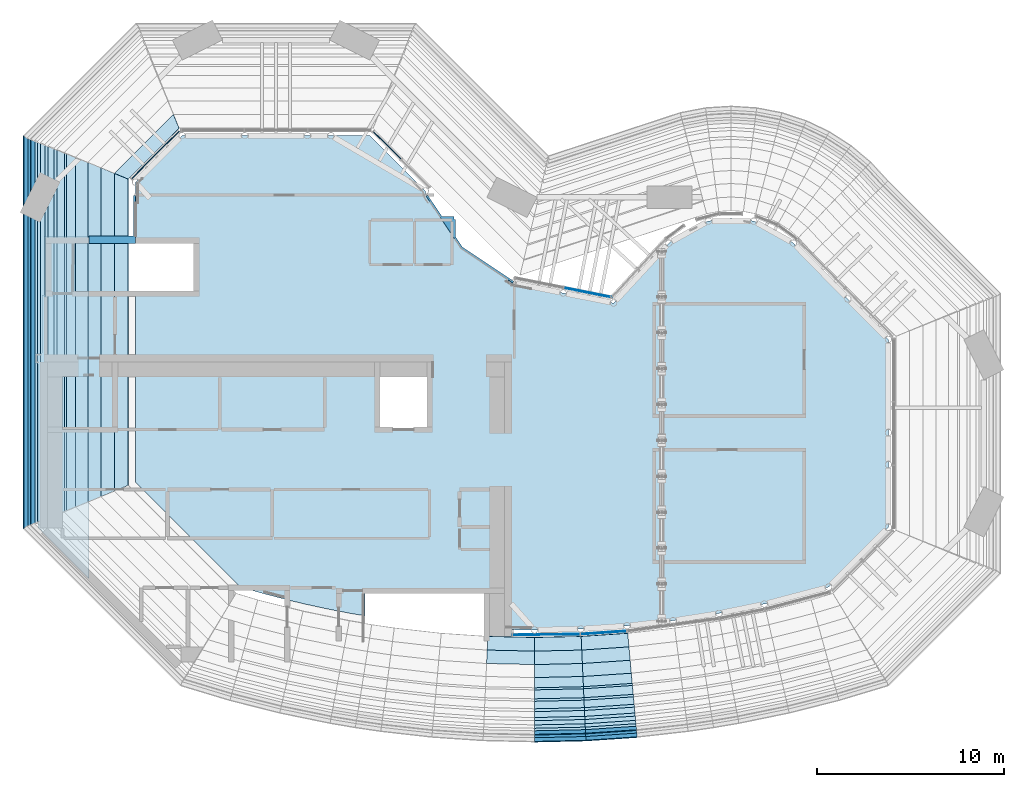
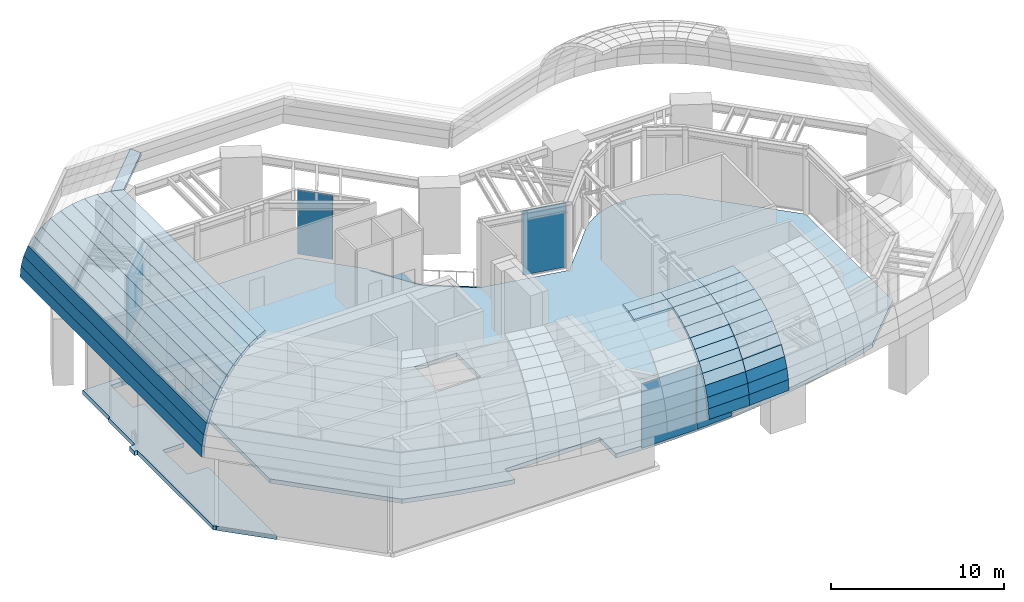
# One storey, part 10 of 20: 44 plates, 4 slabs, 5 elements without a shape of their own.
"""IFC4 building model written with IfcOpenShell, lengths in metres."""

from ifc_helpers import new_model, si_unit, direction, frame, origin, origin_2d, place, context, subcontext, project, spatial, polyline, rectangle, outline, extrude, material, layer, layer_set, type_object, element, aggregate, save


model = new_model("IFC4")

# Units and contexts
model_context = context("Model", 3, precision=1e-05, world=origin(), true_north=direction((0.0, 1.0)))
body_context = subcontext(model_context, "Body", "Model", "MODEL_VIEW")
ifc_project = project(units=[si_unit("LENGTHUNIT", "METRE"), si_unit("AREAUNIT", "SQUARE_METRE"), si_unit("VOLUMEUNIT", "CUBIC_METRE"), si_unit("PLANEANGLEUNIT", "RADIAN"), si_unit("MASSUNIT", "GRAM", prefix="KILO")], contexts=[model_context])

# Site, building, storey
site_placement = place(None, origin())
site = spatial("IfcSite", under=ifc_project, at=site_placement, CompositionType="ELEMENT")
building_placement = place(site_placement, origin())
building = spatial("IfcBuilding", under=site, at=building_placement, Name="Brevane Broadcast Tower", CompositionType="ELEMENT")
storey_placement = place(building_placement, frame((0.0, 0.0, 264.199951171875)))
storey = spatial("IfcBuildingStorey", under=building, at=storey_placement, Name="L66", CompositionType="ELEMENT", Elevation=264.199951171875)

# Curtain wall, plate
ifc_material_1 = material(Name="Aluminium 6063-T6 bronze anodised", Category="aluminium")
curtain_wall_type = type_object("IfcCurtainWallType", Name="CW-5 curtain wall", PredefinedType="NOTDEFINED", material=ifc_material_1)
curtain_wall_1_placement = place(storey_placement, origin())
curtain_wall_1 = element("IfcCurtainWall", 1, at=curtain_wall_1_placement, inside=storey, type_object=curtain_wall_type, Name="CW-5 gallery glazing 1", PredefinedType="NOTDEFINED")
ifc_material_2 = material(Name="Laminated glass bronze-tinted", Category="glass")
ifc_layer_1 = layer(ifc_material_2, 0.0400390625)
ifc_layer_set_1 = layer_set([ifc_layer_1], Name="CW tall glass panel 40")
plate_type_1 = type_object("IfcPlateType", Name="CW tall glass panel 40", PredefinedType="CURTAIN_PANEL", material=ifc_layer_set_1)
plate_1_placement = place(storey_placement, frame((27.032470703125, 1.85546875, 0.080078125), z_axis=(0.0, 0.0, 1.0), x_axis=(0.999936788377, 0.011243631559, 0.0)))
plate_1 = element("IfcPlate", 2, at=plate_1_placement, type_object=plate_type_1, Name="Hall glass panel", PredefinedType="CURTAIN_PANEL", context=body_context, shape_type="SweptSolid", body=[
    extrude(rectangle(XDim=3.642822265625, YDim=0.0400390625, at=origin_2d()), origin(), (0.0, 0.0, 1.0), 4.5400390625),
])
aggregate(curtain_wall_1, [plate_1])

curtain_wall_2_placement = place(storey_placement, origin())
curtain_wall_2 = element("IfcCurtainWall", 3, at=curtain_wall_2_placement, inside=storey, type_object=curtain_wall_type, Name="CW-5 gallery glazing 2", PredefinedType="NOTDEFINED")
plate_2_placement = place(storey_placement, frame((30.1279296875, 1.960205078125, 0.080078125), z_axis=(0.0, 0.0, 1.0), x_axis=(0.997725145019, 0.067413166345, 0.0)))
plate_2 = element("IfcPlate", 4, at=plate_2_placement, type_object=plate_type_1, Name="Hall glass panel", PredefinedType="CURTAIN_PANEL", context=body_context, shape_type="SweptSolid", body=[
    extrude(rectangle(XDim=2.423095703125, YDim=0.0400390625, at=origin_2d()), origin(), (0.0, 0.0, 1.0), 4.5400390625),
])
aggregate(curtain_wall_2, [plate_2])

curtain_wall_3_placement = place(storey_placement, origin())
curtain_wall_3 = element("IfcCurtainWall", 5, at=curtain_wall_3_placement, inside=storey, type_object=curtain_wall_type, Name="CW-5 gallery glazing 15", PredefinedType="NOTDEFINED")
plate_3_placement = place(storey_placement, frame((29.27001953125, 20.11474609375, 0.080078125), z_axis=(0.0, 0.0, 1.0), x_axis=(-0.980785295664, 0.195090245294, 0.0)))
plate_3 = element("IfcPlate", 6, at=plate_3_placement, type_object=plate_type_1, Name="Hall glass panel", PredefinedType="CURTAIN_PANEL", context=body_context, shape_type="SweptSolid", body=[
    extrude(rectangle(XDim=2.617919921875, YDim=0.0400390625, at=origin_2d()), origin(), (0.0, 0.0, 1.0), 4.5400390625),
])
aggregate(curtain_wall_3, [plate_3])

curtain_wall_4_placement = place(storey_placement, origin())
curtain_wall_4 = element("IfcCurtainWall", 7, at=curtain_wall_4_placement, inside=storey, type_object=curtain_wall_type, Name="CW-5 gallery glazing 16", PredefinedType="NOTDEFINED")
plate_4_placement = place(storey_placement, frame((18.521728515625, 27.989013671875, 0.080078125), z_axis=(0.0, 0.0, 1.0), x_axis=(-0.707106781187, 0.707106781187, 0.0)))
plate_4 = element("IfcPlate", 8, at=plate_4_placement, type_object=plate_type_1, Name="Hall glass panel", PredefinedType="CURTAIN_PANEL", context=body_context, shape_type="SweptSolid", body=[
    extrude(rectangle(XDim=2.094482421875, YDim=0.0400390625, at=origin_2d()), origin(), (0.0, 0.0, 1.0), 4.5400390625),
])
aggregate(curtain_wall_4, [plate_4])

curtain_wall_5_placement = place(storey_placement, origin())
curtain_wall_5 = element("IfcCurtainWall", 9, at=curtain_wall_5_placement, inside=storey, type_object=curtain_wall_type, Name="CW-5 gallery glazing 18", PredefinedType="NOTDEFINED")
plate_5_placement = place(storey_placement, frame((6.14453125, 27.455322265625, 0.080078125), z_axis=(0.0, 0.0, 1.0), x_axis=(-0.707106781187, -0.707106781187, 0.0)))
plate_5 = element("IfcPlate", 10, at=plate_5_placement, type_object=plate_type_1, Name="Hall glass panel", PredefinedType="CURTAIN_PANEL", context=body_context, shape_type="SweptSolid", body=[
    extrude(rectangle(XDim=3.603759765625, YDim=0.0400390625, at=origin_2d()), origin(), (0.0, 0.0, 1.0), 4.5400390625),
])
aggregate(curtain_wall_5, [plate_5])

# Plates
ifc_material_3 = material(Name="Aluminium bronze anodised", Category="aluminium")
ifc_layer_2 = layer(ifc_material_3, 0.199951171875)
ifc_layer_set_2 = layer_set([ifc_layer_2], Name="Canopy shoulder plate 200")
plate_type_2 = type_object("IfcPlateType", Name="Canopy shoulder plate 200", PredefinedType="SHEET", material=ifc_layer_set_2)
plate_6_placement = place(storey_placement, frame((23.842529296875, 0.30908203125, 10.559326171875), z_axis=(-0.004382125637, -0.194929682721, 0.980807430523), x_axis=(0.999748405133, -0.022430478271, 8.826508e-06)))
element("IfcPlate", 11, at=plate_6_placement, inside=storey, type_object=plate_type_2, Name="Canopy shoulder", PredefinedType="SHEET", context=body_context, shape_type="SweptSolid", body=[
    extrude(outline(polyline([(0.0, 0.0), (2.558016529825504, 0.0), (2.5419013603810097, 0.7323859435422777), (0.01611423739977816, 0.732616082411798), (0.0, 0.0)])), origin(), (0.0, 0.0, -1.0), 0.199951171875),
])
plate_7_placement = place(storey_placement, frame((23.874755859375, 1.027099609375, 10.7021484375), z_axis=(-0.001471213905, -0.06530219645, 0.997864449045), x_axis=(0.999746356424, -0.022521607799, 1.30563e-07)))
element("IfcPlate", 12, at=plate_7_placement, inside=storey, type_object=plate_type_2, Name="Canopy shoulder", PredefinedType="SHEET", context=body_context, shape_type="SweptSolid", body=[
    extrude(outline(polyline([(0.0, 0.0), (2.525787133570746, -1.3877787807814457e-17), (2.5093193138032412, 0.7325801913081328), (0.01649930009103383, 0.7325902227764729), (0.0, 0.0)])), origin(), (0.0, 0.0, -1.0), 0.199951171875),
])
plate_8_placement = place(storey_placement, frame((26.39990234375, -3.89990234375, 5.150146484375), z_axis=(0.022373359187, -0.997612105165, 0.065341567378), x_axis=(0.999748612487, 0.022421236127, -5.85085e-07)))
element("IfcPlate", 13, at=plate_8_placement, inside=storey, type_object=plate_type_2, Name="Canopy shoulder", PredefinedType="SHEET", context=body_context, shape_type="SweptSolid", body=[
    extrude(outline(polyline([(0.0, 0.0), (2.7450742930842913, 0.0), (2.7439500433340647, 0.7325240726433837), (0.0010724635096329824, 0.7325208548467025), (0.0, 0.0)])), origin(), (0.0, 0.0, -1.0), 0.199951171875),
])
plate_9_placement = place(storey_placement, frame((26.39990234375, -3.85205078125, 5.881103515625), z_axis=(0.022025785483, -0.980540771587, 0.195076036534), x_axis=(0.999747827633, 0.022456204421, -5.163007e-06)))
element("IfcPlate", 14, at=plate_9_placement, inside=storey, type_object=plate_type_2, Name="Canopy shoulder", PredefinedType="SHEET", context=body_context, shape_type="SweptSolid", body=[
    extrude(outline(polyline([(0.0, 0.0), (2.742877578975786, -1.734723475976807e-18), (2.739490981972121, 0.7323455971443674), (0.003203537602312963, 0.7323167540462219), (0.0, 0.0)])), origin(), (0.0, 0.0, -1.0), 0.199951171875),
])
plate_10_placement = place(storey_placement, frame((26.39990234375, -3.709228515625, 6.599365234375), z_axis=(0.02128884513, -0.946655266428, 0.321544074143), x_axis=(0.999747226415, 0.022482955195, 4.48053e-07)))
element("IfcPlate", 15, at=plate_10_placement, inside=storey, type_object=plate_type_2, Name="Canopy shoulder", PredefinedType="SHEET", context=body_context, shape_type="SweptSolid", body=[
    extrude(outline(polyline([(0.0, 0.0), (2.7362874454821524, 0.0), (2.7310837616420534, 0.7325020993189679), (0.005297198408695531, 0.7325046838708977), (0.0, 0.0)])), origin(), (0.0, 0.0, -1.0), 0.199951171875),
])
plate_11_placement = place(storey_placement, frame((26.39990234375, -3.4736328125, 7.29296875), z_axis=(0.020177585734, -0.8966741892, 0.442231006892), x_axis=(0.999746979427, 0.02249393449, -6.218286e-06)))
element("IfcPlate", 16, at=plate_11_placement, inside=storey, type_object=plate_type_2, Name="Canopy shoulder", PredefinedType="SHEET", context=body_context, shape_type="SweptSolid", body=[
    extrude(outline(polyline([(0.0, 0.0), (2.7257865629677838, -3.469446951953614e-18), (2.7184197184757184, 0.7325214153212449), (0.007283378335103621, 0.7324837207088193), (0.0, 0.0)])), origin(), (0.0, 0.0, -1.0), 0.199951171875),
])
plate_12_placement = place(storey_placement, frame((26.39990234375, -3.149658203125, 7.949951171875), z_axis=(0.018705898649, -0.831210504426, 0.555643038909), x_axis=(0.99974677436, 0.022503046803, 6.491666e-06)))
element("IfcPlate", 17, at=plate_12_placement, inside=storey, type_object=plate_type_2, Name="Canopy shoulder", PredefinedType="SHEET", context=body_context, shape_type="SweptSolid", body=[
    extrude(outline(polyline([(0.0, 0.0), (2.711136340488553, 6.938893903907228e-18), (2.7019872351670826, 0.7326172276656657), (0.0091677926693928, 0.7326594213021361), (0.0, 0.0)])), origin(), (0.0, 0.0, -1.0), 0.199951171875),
])
plate_13_placement = place(storey_placement, frame((26.39990234375, -2.742431640625, 8.55908203125), z_axis=(0.016903965204, -0.751644736187, 0.659351534861), x_axis=(0.999747202264, 0.022484029112, 4.70478e-07)))
element("IfcPlate", 18, at=plate_13_placement, inside=storey, type_object=plate_type_2, Name="Canopy shoulder", PredefinedType="SHEET", context=body_context, shape_type="SweptSolid", body=[
    extrude(outline(polyline([(0.0, 0.0), (2.6928194430138572, 0.0), (2.682193035092481, 0.7325811394043751), (0.010863514407104272, 0.7325844961445559), (0.0, 0.0)])), origin(), (0.0, 0.0, -1.0), 0.199951171875),
])
plate_14_placement = place(storey_placement, frame((26.39990234375, -2.25927734375, 9.10986328125), z_axis=(0.014832365929, -0.659162449934, 0.751854284764), x_axis=(0.999747101209, 0.022488521059, -6.685078e-06)))
element("IfcPlate", 19, at=plate_14_placement, inside=storey, type_object=plate_type_2, Name="Canopy shoulder", PredefinedType="SHEET", context=body_context, shape_type="SweptSolid", body=[
    extrude(outline(polyline([(0.0, 0.0), (2.6713295205825824, -6.938893903907228e-18), (2.6588055213295427, 0.7324533064079124), (0.012383027447506856, 0.7323993886043587), (0.0, 0.0)])), origin(), (0.0, 0.0, -1.0), 0.199951171875),
])
plate_15_placement = place(storey_placement, frame((26.39990234375, -1.70849609375, 9.5927734375), z_axis=(0.01251992024, -0.555461975756, 0.831447680306), x_axis=(0.999746455306, 0.022517215157, -1.1172154e-05)))
element("IfcPlate", 20, at=plate_15_placement, inside=storey, type_object=plate_type_2, Name="Canopy shoulder", PredefinedType="SHEET", context=body_context, shape_type="SweptSolid", body=[
    extrude(outline(polyline([(0.0, 0.0), (2.646422494298972, 6.938893903907228e-18), (2.6327860661769384, 0.7325586712677097), (0.013711383749201502, 0.7324527918230217), (0.0, 0.0)])), origin(), (0.0, 0.0, -1.0), 0.199951171875),
])
plate_16_placement = place(storey_placement, frame((26.39990234375, -1.099365234375, 9.999755859375), z_axis=(0.009951621151, -0.442204432351, 0.896859077696), x_axis=(0.999745790061, 0.022546722559, 2.3603821e-05)))
element("IfcPlate", 21, at=plate_16_placement, inside=storey, type_object=plate_type_2, Name="Canopy shoulder", PredefinedType="SHEET", context=body_context, shape_type="SweptSolid", body=[
    extrude(outline(polyline([(0.0, 0.0), (2.619074683902241, 0.0), (2.60434511161507, 0.7323109425461174), (0.014825952001798613, 0.7325888945180619), (0.0, 0.0)])), origin(), (0.0, 0.0, -1.0), 0.199951171875),
])
plate_17_placement = place(storey_placement, frame((26.39990234375, -0.442138671875, 10.32373046875), z_axis=(0.007214339277, -0.321518545362, 0.946875798771), x_axis=(0.999748234446, 0.022438086352, 1.835436e-06)))
element("IfcPlate", 22, at=plate_17_placement, inside=storey, type_object=plate_type_2, Name="Canopy shoulder", PredefinedType="SHEET", context=body_context, shape_type="SweptSolid", body=[
    extrude(outline(polyline([(0.0, 0.0), (2.589519175443121, 0.0), (2.5738296550185034, 0.7325602124585555), (0.015569046047091039, 0.7325895919234514), (0.0, 0.0)])), origin(), (0.0, 0.0, -1.0), 0.199951171875),
])
plate_18_placement = place(storey_placement, frame((26.39990234375, 0.251708984375, 10.559326171875), z_axis=(0.004381704896, -0.19492969216, 0.980807430527), x_axis=(0.999748453157, 0.022428337701, -8.823065e-06)))
element("IfcPlate", 23, at=plate_18_placement, inside=storey, type_object=plate_type_2, Name="Canopy shoulder", PredefinedType="SHEET", context=body_context, shape_type="SweptSolid", body=[
    extrude(outline(polyline([(0.0, 0.0), (2.558260609041525, 0.0), (2.542144833619007, 0.7326160485808578), (0.01611363192419735, 0.7323859773719461), (0.0, 0.0)])), origin(), (0.0, 0.0, -1.0), 0.199951171875),
])
plate_19_placement = place(storey_placement, frame((26.39990234375, 0.97021484375, 10.7021484375), z_axis=(0.001471070814, -0.065302199677, 0.997864449045), x_axis=(0.999746405446, 0.022519431579, -1.29618e-07)))
element("IfcPlate", 24, at=plate_19_placement, inside=storey, type_object=plate_type_2, Name="Canopy shoulder", PredefinedType="SHEET", context=body_context, shape_type="SweptSolid", body=[
    extrude(outline(polyline([(0.0, 0.0), (2.526031212277076, 1.3877787807814457e-17), (2.509530320955021, 0.7325901869372505), (0.016466228558289345, 0.732580227075522), (0.0, 0.0)])), origin(), (0.0, 0.0, -1.0), 0.199951171875),
])
plate_20_placement = place(storey_placement, frame((29.144287109375, -3.83837890625, 5.150146484375), z_axis=(0.06730148452, -0.995582514406, 0.065467298638), x_axis=(0.997722921063, 0.067446073155, -1.567628e-06)))
element("IfcPlate", 25, at=plate_20_placement, inside=storey, type_object=plate_type_2, Name="Canopy shoulder", PredefinedType="SHEET", context=body_context, shape_type="SweptSolid", body=[
    extrude(outline(polyline([(0.0, 0.0), (2.7447710275902577, 0.0), (2.7438563418486455, 0.7325328240701442), (0.001033991838588362, 0.7325242030711008), (0.0, 0.0)])), origin(), (0.0, 0.0, -1.0), 0.199951171875),
])
plate_21_placement = place(storey_placement, frame((29.14208984375, -3.79052734375, 5.881103515625), z_axis=(0.066162475228, -0.978540386592, 0.195144148463), x_axis=(0.997721991704, 0.067459819639, 2.057089e-06)))
element("IfcPlate", 26, at=plate_21_placement, inside=storey, type_object=plate_type_2, Name="Canopy shoulder", PredefinedType="SHEET", context=body_context, shape_type="SweptSolid", body=[
    extrude(outline(polyline([(0.0, 0.0), (2.7428223506586615, 0.0), (2.7395156761579194, 0.7323355475768725), (0.0030594611007192236, 0.7323470398846487), (0.0, 0.0)])), origin(), (0.0, 0.0, -1.0), 0.199951171875),
])
plate_22_placement = place(storey_placement, frame((29.135498046875, -3.647705078125, 6.599365234375), z_axis=(0.063866025336, -0.944743152778, 0.321529945863), x_axis=(0.997722814732, 0.067447646094, 3.46018e-07)))
element("IfcPlate", 27, at=plate_22_placement, inside=storey, type_object=plate_type_2, Name="Canopy shoulder", PredefinedType="SHEET", context=body_context, shape_type="SweptSolid", body=[
    extrude(outline(polyline([(0.0, 0.0), (2.7364562152324945, -6.938893903907228e-18), (2.7310890975693454, 0.7324986823405185), (0.005400008017143905, 0.7325006783283435), (0.0, 0.0)])), origin(), (0.0, 0.0, -1.0), 0.199951171875),
])
plate_23_placement = place(storey_placement, frame((29.125, -3.412353515625, 7.29296875), z_axis=(0.060490657051, -0.894834826236, 0.442279904772), x_axis=(0.997722927762, 0.067445974063, 2.05811e-07)))
element("IfcPlate", 28, at=plate_23_placement, inside=storey, type_object=plate_type_2, Name="Canopy shoulder", PredefinedType="SHEET", context=body_context, shape_type="SweptSolid", body=[
    extrude(outline(polyline([(0.0, 0.0), (2.725689089554228, 0.0), (2.7184710971580937, 0.7325216369577072), (0.007219370063394617, 0.7325228846017751), (0.0, 0.0)])), origin(), (0.0, 0.0, -1.0), 0.199951171875),
])
plate_24_placement = place(storey_placement, frame((29.1103515625, -3.088623046875, 7.949951171875), z_axis=(0.056047146989, -0.829625496822, 0.555500002104), x_axis=(0.997724924087, 0.067416433307, 1.9363638e-05)))
element("IfcPlate", 29, at=plate_24_placement, inside=storey, type_object=plate_type_2, Name="Canopy shoulder", PredefinedType="SHEET", context=body_context, shape_type="SweptSolid", body=[
    extrude(outline(polyline([(0.0, 0.0), (2.7112517254480855, 1.3877787807814457e-17), (2.702047832126226, 0.7324911923765536), (0.009163750209975705, 0.7326170392190914), (0.0, 0.0)])), origin(), (0.0, 0.0, -1.0), 0.199951171875),
])
plate_25_placement = place(storey_placement, frame((29.092041015625, -2.681884765625, 8.55908203125), z_axis=(0.050647410375, -0.750129213128, 0.659348923889), x_axis=(0.99772850831, 0.067363370636, -1.718353e-06)))
element("IfcPlate", 30, at=plate_25_placement, inside=storey, type_object=plate_type_2, Name="Canopy shoulder", PredefinedType="SHEET", context=body_context, shape_type="SweptSolid", body=[
    extrude(outline(polyline([(0.0, 0.0), (2.692884086506145, 0.0), (2.681940153996301, 0.7325867163841198), (0.011077489846521769, 0.732574457328034), (0.0, 0.0)])), origin(), (0.0, 0.0, -1.0), 0.199951171875),
])
plate_26_placement = place(storey_placement, frame((29.070556640625, -2.19921875, 9.10986328125), z_axis=(0.044409903248, -0.657823583897, 0.751861618227), x_axis=(0.9977285038, 0.067363437218, 5.627861e-06)))
element("IfcPlate", 31, at=plate_26_placement, inside=storey, type_object=plate_type_2, Name="Canopy shoulder", PredefinedType="SHEET", context=body_context, shape_type="SweptSolid", body=[
    extrude(outline(polyline([(0.0, 0.0), (2.6708626641123105, 2.7755575615628914e-17), (2.6586155004334096, 0.7324129446082349), (0.012226565432549326, 0.7324583318437802), (0.0, 0.0)])), origin(), (0.0, 0.0, -1.0), 0.199951171875),
])
plate_27_placement = place(storey_placement, frame((29.045654296875, -1.64892578125, 9.5927734375), z_axis=(0.037426246237, -0.554258751916, 0.831502562845), x_axis=(0.997729169427, 0.067353576979, -1.1963955e-05)))
element("IfcPlate", 32, at=plate_27_placement, inside=storey, type_object=plate_type_2, Name="Canopy shoulder", PredefinedType="SHEET", context=body_context, shape_type="SweptSolid", body=[
    extrude(outline(polyline([(0.0, 0.0), (2.6463889351916507, 2.7755575615628914e-17), (2.6326999006472662, 0.7326707381062458), (0.013707728642785917, 0.7325573404256716), (0.0, 0.0)])), origin(), (0.0, 0.0, -1.0), 0.199951171875),
])
plate_28_placement = place(storey_placement, frame((29.018310546875, -1.040283203125, 9.999755859375), z_axis=(0.029819535994, -0.441383048428, 0.896823170884), x_axis=(0.997726092483, 0.067399142189, -3.222805e-06)))
element("IfcPlate", 33, at=plate_28_placement, inside=storey, type_object=plate_type_2, Name="Canopy shoulder", PredefinedType="SHEET", context=body_context, shape_type="SweptSolid", body=[
    extrude(outline(polyline([(0.0, 0.0), (2.6189921747193274, -2.7755575615628914e-17), (2.604142494549319, 0.732348360741899), (0.01475580086709545, 0.7323104177027893), (0.0, 0.0)])), origin(), (0.0, 0.0, -1.0), 0.199951171875),
])
plate_29_placement = place(storey_placement, frame((28.98876953125, -0.384033203125, 10.32373046875), z_axis=(0.02168744481, -0.320843021421, 0.946884053273), x_axis=(0.997724906562, 0.067416694928, -8.372463e-06)))
element("IfcPlate", 34, at=plate_29_placement, inside=storey, type_object=plate_type_2, Name="Canopy shoulder", PredefinedType="SHEET", context=body_context, shape_type="SweptSolid", body=[
    extrude(outline(polyline([(0.0, 0.0), (2.5893866938760994, 0.0), (2.573866364955194, 0.7326972824155672), (0.015546662459184202, 0.7325632578254541), (0.0, 0.0)])), origin(), (0.0, 0.0, -1.0), 0.199951171875),
])
plate_30_placement = place(storey_placement, frame((28.95751953125, 0.30908203125, 10.559326171875), z_axis=(0.013145829469, -0.194537677257, 0.980806953123), x_axis=(0.997721490591, 0.067467230033, 9.218582e-06)))
element("IfcPlate", 35, at=plate_30_placement, inside=storey, type_object=plate_type_2, Name="Canopy shoulder", PredefinedType="SHEET", context=body_context, shape_type="SweptSolid", body=[
    extrude(outline(polyline([(0.0, 0.0), (2.558319705996083, -2.7755575615628914e-17), (2.542049112512281, 0.732371804961376), (0.01629083975567657, 0.7326121766304321), (0.0, 0.0)])), origin(), (0.0, 0.0, -1.0), 0.199951171875),
])
plate_31_placement = place(storey_placement, frame((28.92529296875, 1.027099609375, 10.7021484375), z_axis=(0.004400737062, -0.065169037643, 0.997864534917), x_axis=(0.997727908169, 0.067372258842, -1.53238e-07)))
element("IfcPlate", 36, at=plate_31_placement, inside=storey, type_object=plate_type_2, Name="Canopy shoulder", PredefinedType="SHEET", context=body_context, shape_type="SweptSolid", body=[
    extrude(outline(polyline([(0.0, 0.0), (2.525758284308894, 0.0), (2.5092989607720093, 0.7326058076186723), (0.01632922383229772, 0.7325940334593026), (0.0, 0.0)])), origin(), (0.0, 0.0, -1.0), 0.199951171875),
])
plate_32_placement = place(storey_placement, frame((7.116943359375, 29.630859375, 10.7021484375), z_axis=(-0.046191117293, 0.046194961428, 0.997863921696), x_axis=(-0.707134210252, -0.707079351058, 1.84495e-07)))
element("IfcPlate", 37, at=plate_32_placement, inside=storey, type_object=plate_type_2, Name="Canopy shoulder", PredefinedType="SHEET", context=body_context, shape_type="SweptSolid", body=[
    extrude(outline(polyline([(0.0, 0.0), (4.451699848673759, 4.440892098500626e-16), (4.148872359899172, 0.732483151625992), (0.3027707989539432, 0.7325065860961653), (0.0, 0.0)])), origin(), (0.0, 0.0, -1.0), 0.199951171875),
])
plate_33_placement = place(storey_placement, frame((-0.89990234375, 28.5, 5.150146484375), z_axis=(-0.997864077995, 0.0, 0.0653244353), x_axis=(0.0, -1.0, 0.0)))
element("IfcPlate", 38, at=plate_33_placement, inside=storey, type_object=plate_type_2, Name="Canopy shoulder", PredefinedType="SHEET", context=body_context, shape_type="SweptSolid", body=[
    extrude(outline(polyline([(0.0, 0.0), (21.0, 0.0), (20.980224609375, 0.7325216403407512), (0.019775390625, 0.7325216403407512), (0.0, 0.0)])), origin(), (0.0, 0.0, -1.0), 0.199951171875),
])
plate_34_placement = place(storey_placement, frame((-0.85205078125, 28.480224609375, 5.881103515625), z_axis=(-0.980798047916, 0.0, 0.195026124416), x_axis=(0.0, -1.0, 0.0)))
element("IfcPlate", 39, at=plate_34_placement, inside=storey, type_object=plate_type_2, Name="Canopy shoulder", PredefinedType="SHEET", context=body_context, shape_type="SweptSolid", body=[
    extrude(outline(polyline([(0.0, 0.0), (20.96044921875, 0.0), (20.901123046875, 0.7323237645877417), (0.059326171875, 0.7323237645877417), (0.0, 0.0)])), origin(), (0.0, 0.0, -1.0), 0.199951171875),
])
plate_35_placement = place(storey_placement, frame((-0.709228515625, 28.4208984375, 6.599365234375), z_axis=(-0.946868184082, 0.0, 0.321621892869), x_axis=(0.0, -1.0, 0.0)))
element("IfcPlate", 40, at=plate_35_placement, inside=storey, type_object=plate_type_2, Name="Canopy shoulder", PredefinedType="SHEET", context=body_context, shape_type="SweptSolid", body=[
    extrude(outline(polyline([(0.0, 0.0), (20.841796875, 0.0), (20.744384765625, 0.7325238373038263), (0.097412109375, 0.7325238373038263), (0.0, 0.0)])), origin(), (0.0, 0.0, -1.0), 0.199951171875),
])
plate_36_placement = place(storey_placement, frame((-0.4736328125, 28.323486328125, 7.29296875), z_axis=(-0.896879925781, 0.0, 0.442274121706), x_axis=(0.0, -1.0, 0.0)))
element("IfcPlate", 41, at=plate_36_placement, inside=storey, type_object=plate_type_2, Name="Canopy shoulder", PredefinedType="SHEET", context=body_context, shape_type="SweptSolid", body=[
    extrude(outline(polyline([(0.0, 0.0), (20.64697265625, 0.0), (20.5126953125, 0.7325199315871372), (0.13427734375, 0.7325199315871372), (0.0, 0.0)])), origin(), (0.0, 0.0, -1.0), 0.199951171875),
])
plate_37_placement = place(storey_placement, frame((-0.149658203125, 28.189208984375, 7.949951171875), z_axis=(-0.831485884333, 0.0, 0.555545879432), x_axis=(0.0, -1.0, 0.0)))
element("IfcPlate", 42, at=plate_37_placement, inside=storey, type_object=plate_type_2, Name="Canopy shoulder", PredefinedType="SHEET", context=body_context, shape_type="SweptSolid", body=[
    extrude(outline(polyline([(0.0, 0.0), (20.37841796875, 0.0), (20.2099609375, 0.7325811187562552), (0.16845703125, 0.7325811187562552), (0.0, 0.0)])), origin(), (0.0, 0.0, -1.0), 0.199951171875),
])
plate_38_placement = place(storey_placement, frame((0.25732421875, 28.020751953125, 8.55908203125), z_axis=(-0.751915623092, 0.0, 0.659259353934), x_axis=(0.0, -1.0, 0.0)))
element("IfcPlate", 43, at=plate_38_placement, inside=storey, type_object=plate_type_2, Name="Canopy shoulder", PredefinedType="SHEET", context=body_context, shape_type="SweptSolid", body=[
    extrude(outline(polyline([(0.0, 0.0), (20.04150390625, 0.0), (19.84130859375, 0.7325040643989369), (0.2001953125, 0.7325040643989369), (0.0, 0.0)])), origin(), (0.0, 0.0, -1.0), 0.199951171875),
])
plate_39_placement = place(storey_placement, frame((0.740234375, 27.820556640625, 9.10986328125), z_axis=(-0.659259353934, 0.0, 0.751915623092), x_axis=(0.0, -1.0, 0.0)))
element("IfcPlate", 44, at=plate_39_placement, inside=storey, type_object=plate_type_2, Name="Canopy shoulder", PredefinedType="SHEET", context=body_context, shape_type="SweptSolid", body=[
    extrude(outline(polyline([(0.0, 0.0), (19.64111328125, 0.0), (19.4130859375, 0.7325040643989369), (0.22802734375, 0.7325040643989369), (0.0, 0.0)])), origin(), (0.0, 0.0, -1.0), 0.199951171875),
])
plate_40_placement = place(storey_placement, frame((1.291015625, 27.592529296875, 9.5927734375), z_axis=(-0.555699855288, 0.0, 0.831382986856), x_axis=(0.0, -1.0, 0.0)))
element("IfcPlate", 45, at=plate_40_placement, inside=storey, type_object=plate_type_2, Name="Canopy shoulder", PredefinedType="SHEET", context=body_context, shape_type="SweptSolid", body=[
    extrude(outline(polyline([(0.0, 0.0), (19.18505859375, 0.0), (18.9326171875, 0.7323781318317621), (0.25244140625, 0.7323781318317621), (0.0, 0.0)])), origin(), (0.0, 0.0, -1.0), 0.199951171875),
])
plate_41_placement = place(storey_placement, frame((1.89990234375, 27.340087890625, 9.999755859375), z_axis=(-0.442274121706, 0.0, 0.896879925781), x_axis=(0.0, -1.0, 0.0)))
element("IfcPlate", 46, at=plate_41_placement, inside=storey, type_object=plate_type_2, Name="Canopy shoulder", PredefinedType="SHEET", context=body_context, shape_type="SweptSolid", body=[
    extrude(outline(polyline([(0.0, 0.0), (18.68017578125, 0.0), (18.408203125, 0.7325199315871372), (0.27197265625, 0.7325199315871372), (0.0, 0.0)])), origin(), (0.0, 0.0, -1.0), 0.199951171875),
])
plate_42_placement = place(storey_placement, frame((2.556884765625, 27.068115234375, 10.32373046875), z_axis=(-0.321621892869, 0.0, 0.946868184082), x_axis=(0.0, -1.0, 0.0)))
element("IfcPlate", 47, at=plate_42_placement, inside=storey, type_object=plate_type_2, Name="Canopy shoulder", PredefinedType="SHEET", context=body_context, shape_type="SweptSolid", body=[
    extrude(outline(polyline([(0.0, 0.0), (18.13623046875, 0.0), (17.848876953125, 0.7325238373038264), (0.287353515625, 0.7325238373038264), (0.0, 0.0)])), origin(), (0.0, 0.0, -1.0), 0.199951171875),
])
plate_43_placement = place(storey_placement, frame((3.25048828125, 26.78076171875, 10.559326171875), z_axis=(-0.194962375892, 0.0, 0.980810721794), x_axis=(0.0, -1.0, 0.0)))
element("IfcPlate", 48, at=plate_43_placement, inside=storey, type_object=plate_type_2, Name="Canopy shoulder", PredefinedType="SHEET", context=body_context, shape_type="SweptSolid", body=[
    extrude(outline(polyline([(0.0, 0.0), (17.5615234375, 0.0), (17.263916015625, 0.7325632187835159), (0.297607421875, 0.7325632187835159), (0.0, 0.0)])), origin(), (0.0, 0.0, -1.0), 0.199951171875),
])
plate_44_placement = place(storey_placement, frame((3.968994140625, 26.483154296875, 10.7021484375), z_axis=(-0.0653244353, 0.0, 0.997864077995), x_axis=(0.0, -1.0, 0.0)))
element("IfcPlate", 49, at=plate_44_placement, inside=storey, type_object=plate_type_2, Name="Canopy shoulder", PredefinedType="SHEET", context=body_context, shape_type="SweptSolid", body=[
    extrude(outline(polyline([(0.0, 0.0), (16.96630859375, 0.0), (16.66357421875, 0.7325216403407512), (0.302734375, 0.7325216403407512), (0.0, 0.0)])), origin(), (0.0, 0.0, -1.0), 0.199951171875),
])

# Slabs
ifc_material_4 = material(Name="Concrete C40/50", Category="concrete")
ifc_layer_3 = layer(ifc_material_4, 0.300048828125)
ifc_layer_set_3 = layer_set([ifc_layer_3], Name="Core floor slab 300 mm")
slab_type_1 = type_object("IfcSlabType", Name="Core floor slab 300 mm", PredefinedType="FLOOR", material=ifc_layer_set_3)
slab_1_placement = place(storey_placement, frame((0.0, 0.0, -0.300048828125)))
element("IfcSlab", 50, at=slab_1_placement, inside=storey, type_object=slab_type_1, Name="Core floor slab 1", PredefinedType="FLOOR", context=body_context, shape_type="SweptSolid", body=[
    extrude(outline(polyline([(0.199951171875, 20.050048828125), (0.199951171875, 22.85009765625), (0.199951171875, 22.85009765625), (0.199951171875, 23.14990234375), (2.60009765625, 23.14990234375), (2.60009765625, 22.75), (1.860107421875, 22.75), (1.860107421875, 20.199951171875), (2.60009765625, 20.199951171875), (2.60009765625, 15.60009765625), (1.199951171875, 15.60009765625), (1.199951171875, 12.800048828125), (2.60009765625, 12.800048828125), (2.60009765625, 4.848388671875), (0.04443359375, 7.404052734375), (0.076904296875, 7.436279296875), (0.01220703125, 7.436279296875), (-0.10009765625, 7.548583984375), (-0.10009765625, 16.300048828125), (-0.300048828125, 16.300048828125), (-0.300048828125, 16.89990234375), (0.10009765625, 16.89990234375), (0.10009765625, 19.988037109375), (0.199951171875, 19.988037109375), (0.199951171875, 20.050048828125)])), origin(), (0.0, 0.0, 1.0), 0.300048828125),
])
slab_2_placement = place(storey_placement, frame((0.0, 0.0, -0.300048828125)))
element("IfcSlab", 51, at=slab_2_placement, inside=storey, type_object=slab_type_1, Name="Core floor slab 1.3", PredefinedType="FLOOR", context=body_context, shape_type="SweptSolid", body=[
    extrude(outline(polyline([(5.0009765625, 23.14990234375), (5.0009765625, 25.300048828125), (5.10009765625, 25.300048828125), (5.10009765625, 22.75), (2.60009765625, 22.75), (2.60009765625, 23.14990234375), (5.0009765625, 23.14990234375)])), origin(), (0.0, 0.0, 1.0), 0.300048828125),
])
slab_3_placement = place(storey_placement, frame((0.0, 0.0, -0.300048828125)))
element("IfcSlab", 52, at=slab_3_placement, inside=storey, type_object=slab_type_1, Name="Core floor slab 2", PredefinedType="FLOOR", context=body_context, shape_type="SweptSolid", body=[
    extrude(outline(polyline([(22.548583984375, 22.548583984375), (25.24267578125, 20.748291015625), (25.300048828125, 20.73095703125), (25.300048828125, 20.618896484375), (25.240478515625, 20.630859375), (22.477294921875, 22.477294921875), (20.630859375, 25.240478515625), (20.618896484375, 25.300048828125), (20.710205078125, 25.300048828125), (21.4619140625, 24.175048828125), (22.10009765625, 24.175048828125), (22.10009765625, 24.02490234375), (22.175048828125, 24.02490234375), (22.175048828125, 23.107666015625), (22.548583984375, 22.548583984375)])), origin(), (0.0, 0.0, 1.0), 0.300048828125),
])
ifc_layer_4 = layer(ifc_material_4, 0.300048828125)
ifc_layer_set_4 = layer_set([ifc_layer_4], Name="RC FLOOR SLAB 300 C40/50")
slab_type_2 = type_object("IfcSlabType", Name="RC FLOOR SLAB 300 C40/50", PredefinedType="FLOOR", material=ifc_layer_set_4)
slab_4_placement = place(storey_placement, frame((0.0, 0.0, -0.300048828125)))
element("IfcSlab", 53, at=slab_4_placement, inside=storey, type_object=slab_type_2, Name="SL300 L66", PredefinedType="FLOOR", context=body_context, shape_type="SweptSolid", body=[
    extrude(outline(polyline([(5.10009765625, 9.9853515625), (5.10009765625, 20.199951171875), (8.199951171875, 20.199951171875), (8.199951171875, 22.75), (5.10009765625, 22.75), (5.10009765625, 26.0146484375), (7.585205078125, 28.5), (17.61474609375, 28.5), (20.5703125, 25.54443359375), (20.630859375, 25.240478515625), (22.477294921875, 22.477294921875), (25.240478515625, 20.630859375), (30.627685546875, 19.559326171875), (33.581298828125, 22.7587890625), (34.048583984375, 23.151123046875), (34.561767578125, 23.48095703125), (35.112548828125, 23.7431640625), (35.692138671875, 23.93359375), (36.291259765625, 24.049072265625), (36.89990234375, 24.087890625), (37.5087890625, 24.049072265625), (38.10791015625, 23.93359375), (38.6875, 23.7431640625), (39.23828125, 23.48095703125), (39.75146484375, 23.151123046875), (40.21875, 22.7587890625), (40.97265625, 21.942138671875), (45.300048828125, 17.61474609375), (45.300048828125, 7.585205078125), (42.105224609375, 4.390625), (41.072021484375, 4.092041015625), (39.87548828125, 3.775634765625), (38.672119140625, 3.486083984375), (37.462646484375, 3.2236328125), (36.24755859375, 2.988525390625), (35.027587890625, 2.78076171875), (33.80322265625, 2.6005859375), (32.5751953125, 2.447998046875), (31.34375, 2.322998046875), (30.110107421875, 2.2255859375), (28.87451171875, 2.156005859375), (27.637451171875, 2.1142578125), (26.39990234375, 2.100341796875), (25.16259765625, 2.1142578125), (23.925537109375, 2.156005859375), (23.699951171875, 2.168701171875), (23.699951171875, 4.050048828125), (17.360107421875, 4.050048828125), (17.360107421875, 2.85107421875), (16.55224609375, 2.988525390625), (15.337158203125, 3.2236328125), (14.127685546875, 3.486083984375), (12.924560546875, 3.775634765625), (11.72802734375, 4.092041015625), (10.69482421875, 4.390625), (5.10009765625, 9.9853515625)]), holes=[polyline([(18.0, 15.60009765625), (18.0, 12.800048828125), (20.800048828125, 12.800048828125), (20.800048828125, 15.60009765625), (18.0, 15.60009765625)])]), origin(), (0.0, 0.0, 1.0), 0.300048828125),
])

save(model, "model.ifc")
